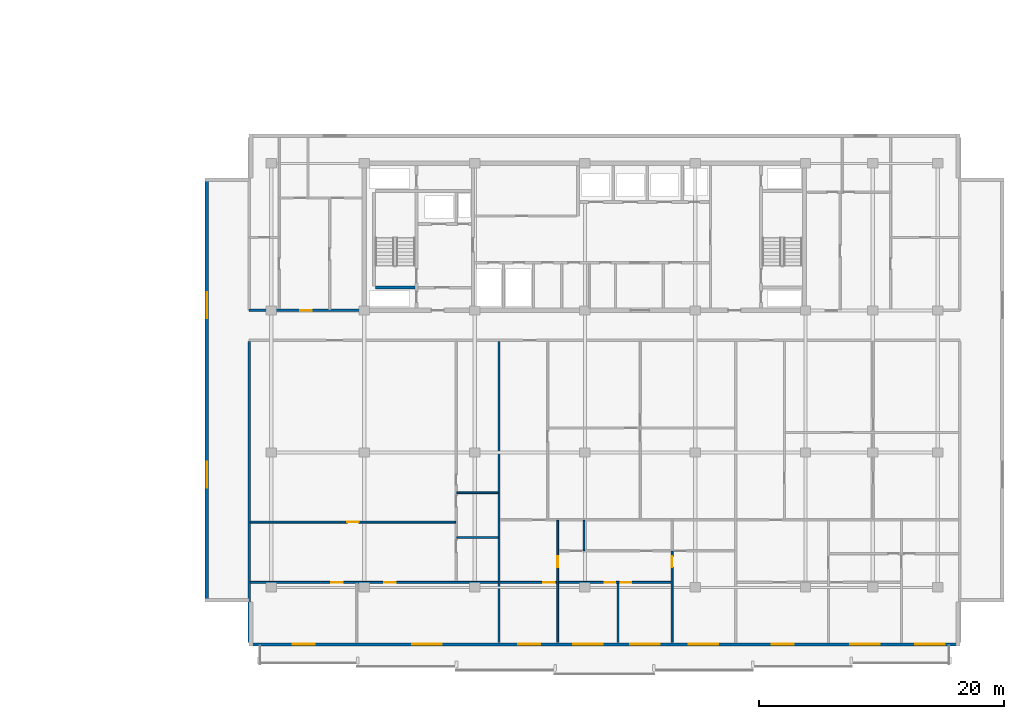
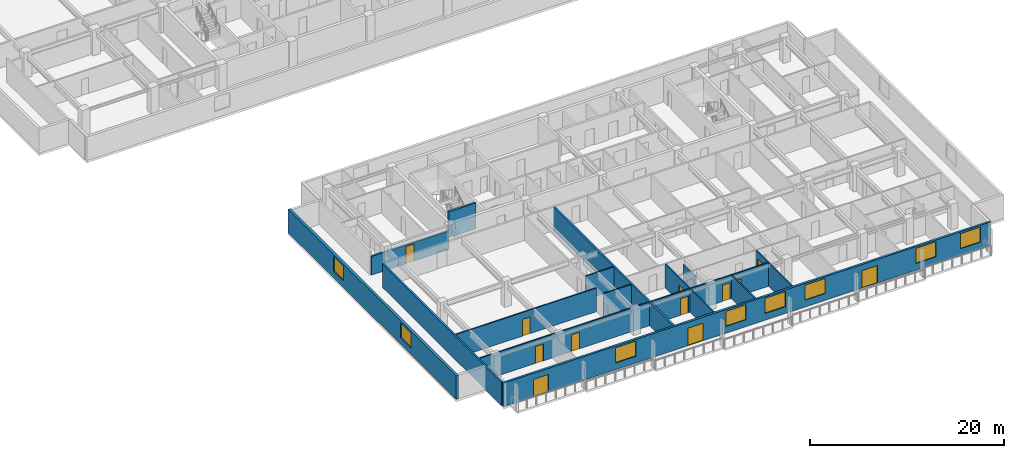
# One storey, part 4 of 21: 15 walls, 12 doors, 8 windows, 20 openings.
"""IFC4 building model written with IfcOpenShell, lengths in metres."""

from ifc_helpers import new_model, si_unit, direction, frame, frame_2d, origin, place, context, subcontext, project, spatial, rectangle, extrude, material, layer, layer_set, type_object, element, fill, save


model = new_model("IFC4")

# Units and contexts
model_context = context("Model", 3, precision=1e-05, world=origin(), true_north=direction((0.0, 1.0)))
body_context = subcontext(model_context, "Body", "Model", "MODEL_VIEW")
ifc_project = project(units=[si_unit("LENGTHUNIT", "METRE"), si_unit("AREAUNIT", "SQUARE_METRE"), si_unit("VOLUMEUNIT", "CUBIC_METRE"), si_unit("PLANEANGLEUNIT", "RADIAN"), si_unit("MASSUNIT", "GRAM", prefix="KILO")], contexts=[model_context])

# Site, building, storey
site_placement = place(None, origin())
site = spatial("IfcSite", under=ifc_project, at=site_placement, CompositionType="ELEMENT")
building_placement = place(site_placement, origin())
building = spatial("IfcBuilding", under=site, at=building_placement, Name="Korimba Cascade Residences", CompositionType="ELEMENT")
storey_placement = place(building_placement, frame((0.0, 0.0, 116.550048828125)))
storey = spatial("IfcBuildingStorey", under=building, at=storey_placement, Name="L33", CompositionType="ELEMENT", Elevation=116.550048828125)

# Wall, openings, doors, windows
ifc_material_1 = material(Name="Precast concrete C40/50", Category="concrete")
ifc_layer_1 = layer(ifc_material_1, 0.25)
ifc_layer_set_1 = layer_set([ifc_layer_1], Name="Precast concrete C40/50")
wall_type_1 = type_object("IfcWallType", Name="EW-LOG-250", PredefinedType="STANDARD", material=ifc_layer_set_1)
wall_1_placement = place(storey_placement, frame((72.699951171875, -8.85009765625, 0.0), z_axis=(0.0, 0.0, 1.0), x_axis=(1.0, 0.0, 0.0)))
wall_1 = element("IfcWall", 1, at=wall_1_placement, inside=storey, type_object=wall_type_1, Name="L33 T2 Perimeter Stone Wall E00", PredefinedType="STANDARD", context=body_context, shape_type="SweptSolid", body=[
    extrude(rectangle(XDim=58.0, YDim=0.25, at=frame_2d((29.0, 0.0))), origin(), (0.0, 0.0, 1.0), 2.969970703125),
])
opening_1_placement = place(wall_1_placement, frame((3.547607421875, 0.0, 0.0)))
opening_1 = element("IfcOpeningElement", 2, at=opening_1_placement, cuts=wall_1, Name="Opening D-LG1", PredefinedType="OPENING", context=body_context, shape_type="SweptSolid", body=[
    extrude(rectangle(XDim=1.800048828125, YDim=2.199951171875, at=frame_2d((0.89990234375, 1.10009765625))), frame((0.0, 0.135009765625, 0.0), z_axis=(0.0, -1.0, 0.0), x_axis=(1.0, 0.0, 0.0)), (0.0, 0.0, 1.0), 0.27001953125),
])
opening_2_placement = place(wall_1_placement, frame((13.3232421875, 0.0, 0.85009765625)))
opening_2 = element("IfcOpeningElement", 3, at=opening_2_placement, cuts=wall_1, Name="Opening W-01", PredefinedType="OPENING", context=body_context, shape_type="SweptSolid", body=[
    extrude(rectangle(XDim=2.39990234375, YDim=1.89990234375, at=frame_2d((1.199951171875, 0.949951171875))), frame((0.0, 0.135009765625, 0.0), z_axis=(0.0, -1.0, 0.0), x_axis=(1.0, 0.0, 0.0)), (0.0, 0.0, 1.0), 0.27001953125),
])
opening_3_placement = place(wall_1_placement, frame((26.440673828125, 0.0, 0.85009765625)))
opening_3 = element("IfcOpeningElement", 4, at=opening_3_placement, cuts=wall_1, Name="Opening W-01", PredefinedType="OPENING", context=body_context, shape_type="SweptSolid", body=[
    extrude(rectangle(XDim=2.39990234375, YDim=1.89990234375, at=frame_2d((1.199951171875, 0.949951171875))), frame((0.0, 0.135009765625, 0.0), z_axis=(0.0, -1.0, 0.0), x_axis=(1.0, 0.0, 0.0)), (0.0, 0.0, 1.0), 0.27001953125),
])
opening_4_placement = place(wall_1_placement, frame((31.110107421875, 0.0, 0.85009765625)))
opening_4 = element("IfcOpeningElement", 5, at=opening_4_placement, cuts=wall_1, Name="Opening W-01", PredefinedType="OPENING", context=body_context, shape_type="SweptSolid", body=[
    extrude(rectangle(XDim=2.39990234375, YDim=1.89990234375, at=frame_2d((1.199951171875, 0.949951171875))), frame((0.0, 0.135009765625, 0.0), z_axis=(0.0, -1.0, 0.0), x_axis=(1.0, 0.0, 0.0)), (0.0, 0.0, 1.0), 0.27001953125),
])
opening_5_placement = place(wall_1_placement, frame((21.94580078125, 0.0, 0.0)))
opening_5 = element("IfcOpeningElement", 6, at=opening_5_placement, cuts=wall_1, Name="Opening D-LG1", PredefinedType="OPENING", context=body_context, shape_type="SweptSolid", body=[
    extrude(rectangle(XDim=1.800048828125, YDim=2.199951171875, at=frame_2d((0.89990234375, 1.10009765625))), frame((0.0, 0.135009765625, 0.0), z_axis=(0.0, -1.0, 0.0), x_axis=(1.0, 0.0, 0.0)), (0.0, 0.0, 1.0), 0.27001953125),
])
opening_6_placement = place(wall_1_placement, frame((35.861328125, 0.0, 0.85009765625)))
opening_6 = element("IfcOpeningElement", 7, at=opening_6_placement, cuts=wall_1, Name="Opening W-01", PredefinedType="OPENING", context=body_context, shape_type="SweptSolid", body=[
    extrude(rectangle(XDim=2.39990234375, YDim=1.89990234375, at=frame_2d((1.199951171875, 0.949951171875))), frame((0.0, 0.135009765625, 0.0), z_axis=(0.0, -1.0, 0.0), x_axis=(1.0, 0.0, 0.0)), (0.0, 0.0, 1.0), 0.27001953125),
])
opening_7_placement = place(wall_1_placement, frame((49.054931640625, 0.0, 0.85009765625)))
opening_7 = element("IfcOpeningElement", 8, at=opening_7_placement, cuts=wall_1, Name="Opening W-01", PredefinedType="OPENING", context=body_context, shape_type="SweptSolid", body=[
    extrude(rectangle(XDim=2.39990234375, YDim=1.89990234375, at=frame_2d((1.199951171875, 0.949951171875))), frame((0.0, 0.135009765625, 0.0), z_axis=(0.0, -1.0, 0.0), x_axis=(1.0, 0.0, 0.0)), (0.0, 0.0, 1.0), 0.27001953125),
])
opening_8_placement = place(wall_1_placement, frame((42.661376953125, 0.0, 0.0)))
opening_8 = element("IfcOpeningElement", 9, at=opening_8_placement, cuts=wall_1, Name="Opening D-LG1", PredefinedType="OPENING", context=body_context, shape_type="SweptSolid", body=[
    extrude(rectangle(XDim=1.800048828125, YDim=2.199951171875, at=frame_2d((0.89990234375, 1.10009765625))), frame((0.0, 0.135009765625, 0.0), z_axis=(0.0, -1.0, 0.0), x_axis=(1.0, 0.0, 0.0)), (0.0, 0.0, 1.0), 0.27001953125),
])
opening_9_placement = place(wall_1_placement, frame((54.35498046875, 0.0, 0.85009765625)))
opening_9 = element("IfcOpeningElement", 10, at=opening_9_placement, cuts=wall_1, Name="Opening W-01", PredefinedType="OPENING", context=body_context, shape_type="SweptSolid", body=[
    extrude(rectangle(XDim=2.39990234375, YDim=1.89990234375, at=frame_2d((1.199951171875, 0.949951171875))), frame((0.0, 0.135009765625, 0.0), z_axis=(0.0, -1.0, 0.0), x_axis=(1.0, 0.0, 0.0)), (0.0, 0.0, 1.0), 0.27001953125),
])
ifc_material_2 = material(Name="Glazed Aluminium Loggia Sliding Door", Category="aluminium")
door_type_1 = type_object("IfcDoorType", Name="DR-EXT-LOG", OperationType="NOTDEFINED", PredefinedType="DOOR", material=ifc_material_2)
door_1_placement = place(opening_1_placement, origin())
door_1 = element("IfcDoor", 11, at=door_1_placement, inside=storey, type_object=door_type_1, Name="L33 T2 Loggia Sliding Door 3", OperationType="SLIDING_TO_RIGHT", OverallHeight=2.199951171875, OverallWidth=1.800048828125, PredefinedType="DOOR", context=body_context, shape_type="SweptSolid", body=[
    extrude(rectangle(XDim=1.800048828125, YDim=2.199951171875, at=frame_2d((0.89990234375, 1.10009765625))), frame((0.0, 0.02490234375, 0.0), z_axis=(0.0, -1.0, 0.0), x_axis=(1.0, 0.0, 0.0)), (0.0, 0.0, 1.0), 0.050048828125),
])
fill(opening_1, door_1)
door_2_placement = place(opening_5_placement, origin())
door_2 = element("IfcDoor", 12, at=door_2_placement, inside=storey, type_object=door_type_1, Name="L33 T2 Loggia Sliding Door 7", OperationType="SLIDING_TO_RIGHT", OverallHeight=2.199951171875, OverallWidth=1.800048828125, PredefinedType="DOOR", context=body_context, shape_type="SweptSolid", body=[
    extrude(rectangle(XDim=1.800048828125, YDim=2.199951171875, at=frame_2d((0.89990234375, 1.10009765625))), frame((0.0, 0.02490234375, 0.0), z_axis=(0.0, -1.0, 0.0), x_axis=(1.0, 0.0, 0.0)), (0.0, 0.0, 1.0), 0.050048828125),
])
fill(opening_5, door_2)
door_3_placement = place(opening_8_placement, origin())
door_3 = element("IfcDoor", 13, at=door_3_placement, inside=storey, type_object=door_type_1, Name="L33 T2 Loggia Sliding Door 10", OperationType="SLIDING_TO_RIGHT", OverallHeight=2.199951171875, OverallWidth=1.800048828125, PredefinedType="DOOR", context=body_context, shape_type="SweptSolid", body=[
    extrude(rectangle(XDim=1.800048828125, YDim=2.199951171875, at=frame_2d((0.89990234375, 1.10009765625))), frame((0.0, 0.02490234375, 0.0), z_axis=(0.0, -1.0, 0.0), x_axis=(1.0, 0.0, 0.0)), (0.0, 0.0, 1.0), 0.050048828125),
])
fill(opening_8, door_3)
ifc_material_3 = material(Name="Double-Glazed Aluminium Window", Category="aluminium")
window_type_1 = type_object("IfcWindowType", Name="WIN-RES-2400", PartitioningType="DOUBLE_PANEL_VERTICAL", PredefinedType="WINDOW", material=ifc_material_3)
window_1_placement = place(opening_2_placement, origin())
window_1 = element("IfcWindow", 14, at=window_1_placement, inside=storey, type_object=window_type_1, Name="L33 T2 South Facade Window 4", OverallHeight=1.89990234375, OverallWidth=2.39990234375, PartitioningType="DOUBLE_PANEL_VERTICAL", PredefinedType="WINDOW", context=body_context, shape_type="SweptSolid", body=[
    extrude(rectangle(XDim=2.39990234375, YDim=1.89990234375, at=frame_2d((1.199951171875, 0.949951171875))), frame((0.0, 0.030029296875, 0.0), z_axis=(0.0, -1.0, 0.0), x_axis=(1.0, 0.0, 0.0)), (0.0, 0.0, 1.0), 0.06005859375),
])
fill(opening_2, window_1)
window_2_placement = place(opening_3_placement, origin())
window_2 = element("IfcWindow", 15, at=window_2_placement, inside=storey, type_object=window_type_1, Name="L33 T2 South Facade Window 5", OverallHeight=1.89990234375, OverallWidth=2.39990234375, PartitioningType="DOUBLE_PANEL_VERTICAL", PredefinedType="WINDOW", context=body_context, shape_type="SweptSolid", body=[
    extrude(rectangle(XDim=2.39990234375, YDim=1.89990234375, at=frame_2d((1.199951171875, 0.949951171875))), frame((0.0, 0.030029296875, 0.0), z_axis=(0.0, -1.0, 0.0), x_axis=(1.0, 0.0, 0.0)), (0.0, 0.0, 1.0), 0.06005859375),
])
fill(opening_3, window_2)
window_3_placement = place(opening_4_placement, origin())
window_3 = element("IfcWindow", 16, at=window_3_placement, inside=storey, type_object=window_type_1, Name="L33 T2 South Facade Window 6", OverallHeight=1.89990234375, OverallWidth=2.39990234375, PartitioningType="DOUBLE_PANEL_VERTICAL", PredefinedType="WINDOW", context=body_context, shape_type="SweptSolid", body=[
    extrude(rectangle(XDim=2.39990234375, YDim=1.89990234375, at=frame_2d((1.199951171875, 0.949951171875))), frame((0.0, 0.030029296875, 0.0), z_axis=(0.0, -1.0, 0.0), x_axis=(1.0, 0.0, 0.0)), (0.0, 0.0, 1.0), 0.06005859375),
])
fill(opening_4, window_3)
window_4_placement = place(opening_6_placement, origin())
window_4 = element("IfcWindow", 17, at=window_4_placement, inside=storey, type_object=window_type_1, Name="L33 T2 South Facade Window 8", OverallHeight=1.89990234375, OverallWidth=2.39990234375, PartitioningType="DOUBLE_PANEL_VERTICAL", PredefinedType="WINDOW", context=body_context, shape_type="SweptSolid", body=[
    extrude(rectangle(XDim=2.39990234375, YDim=1.89990234375, at=frame_2d((1.199951171875, 0.949951171875))), frame((0.0, 0.030029296875, 0.0), z_axis=(0.0, -1.0, 0.0), x_axis=(1.0, 0.0, 0.0)), (0.0, 0.0, 1.0), 0.06005859375),
])
fill(opening_6, window_4)
window_5_placement = place(opening_7_placement, origin())
window_5 = element("IfcWindow", 18, at=window_5_placement, inside=storey, type_object=window_type_1, Name="L33 T2 South Facade Window 9", OverallHeight=1.89990234375, OverallWidth=2.39990234375, PartitioningType="DOUBLE_PANEL_VERTICAL", PredefinedType="WINDOW", context=body_context, shape_type="SweptSolid", body=[
    extrude(rectangle(XDim=2.39990234375, YDim=1.89990234375, at=frame_2d((1.199951171875, 0.949951171875))), frame((0.0, 0.030029296875, 0.0), z_axis=(0.0, -1.0, 0.0), x_axis=(1.0, 0.0, 0.0)), (0.0, 0.0, 1.0), 0.06005859375),
])
fill(opening_7, window_5)
window_6_placement = place(opening_9_placement, origin())
window_6 = element("IfcWindow", 19, at=window_6_placement, inside=storey, type_object=window_type_1, Name="L33 T2 South Facade Window 11", OverallHeight=1.89990234375, OverallWidth=2.39990234375, PartitioningType="DOUBLE_PANEL_VERTICAL", PredefinedType="WINDOW", context=body_context, shape_type="SweptSolid", body=[
    extrude(rectangle(XDim=2.39990234375, YDim=1.89990234375, at=frame_2d((1.199951171875, 0.949951171875))), frame((0.0, 0.030029296875, 0.0), z_axis=(0.0, -1.0, 0.0), x_axis=(1.0, 0.0, 0.0)), (0.0, 0.0, 1.0), 0.06005859375),
])
fill(opening_9, window_6)

# Wall, openings, windows
ifc_layer_2 = layer(ifc_material_1, 0.300048828125)
ifc_layer_set_2 = layer_set([ifc_layer_2], Name="Precast concrete C40/50")
wall_type_2 = type_object("IfcWallType", Name="EW-STONE-300", PredefinedType="STANDARD", material=ifc_layer_set_2)
wall_2_placement = place(storey_placement, frame((69.25, 29.199951171875, 0.0), z_axis=(0.0, 0.0, 1.0), x_axis=(0.0, -1.0, 0.0)))
wall_2 = element("IfcWall", 20, at=wall_2_placement, inside=storey, type_object=wall_type_2, Name="L33 T2 Perimeter Stone Wall E09", PredefinedType="STANDARD", context=body_context, shape_type="SweptSolid", body=[
    extrude(rectangle(XDim=34.599853515625, YDim=0.300048828125, at=frame_2d((17.2998046875, 0.0))), origin(), (0.0, 0.0, 1.0), 2.969970703125),
])
opening_10_placement = place(wall_2_placement, frame((9.330078125, 0.0, 0.85009765625)))
opening_10 = element("IfcOpeningElement", 21, at=opening_10_placement, cuts=wall_2, Name="Opening W-03", PredefinedType="OPENING", context=body_context, shape_type="SweptSolid", body=[
    extrude(rectangle(XDim=2.10009765625, YDim=1.85009765625, at=frame_2d((1.050048828125, 0.925048828125))), frame((0.0, 0.16015625, 0.0), z_axis=(0.0, -1.0, 0.0), x_axis=(1.0, 0.0, 0.0)), (0.0, 0.0, 1.0), 0.320068359375),
])
opening_11_placement = place(wall_2_placement, frame((23.169921875, 0.0, 0.85009765625)))
opening_11 = element("IfcOpeningElement", 22, at=opening_11_placement, cuts=wall_2, Name="Opening W-03", PredefinedType="OPENING", context=body_context, shape_type="SweptSolid", body=[
    extrude(rectangle(XDim=2.10009765625, YDim=1.85009765625, at=frame_2d((1.050048828125, 0.925048828125))), frame((0.0, 0.16015625, 0.0), z_axis=(0.0, -1.0, 0.0), x_axis=(1.0, 0.0, 0.0)), (0.0, 0.0, 1.0), 0.320068359375),
])
window_type_2 = type_object("IfcWindowType", Name="WIN-CRN-2100", PartitioningType="DOUBLE_PANEL_HORIZONTAL", PredefinedType="WINDOW", material=ifc_material_3)
window_7_placement = place(opening_10_placement, origin())
window_7 = element("IfcWindow", 23, at=window_7_placement, inside=storey, type_object=window_type_2, Name="L33 T2 End View Window 9.1", OverallHeight=1.85009765625, OverallWidth=2.10009765625, PartitioningType="DOUBLE_PANEL_HORIZONTAL", PredefinedType="WINDOW", context=body_context, shape_type="SweptSolid", body=[
    extrude(rectangle(XDim=2.10009765625, YDim=1.85009765625, at=frame_2d((1.050048828125, 0.925048828125))), frame((0.0, 0.030029296875, 0.0), z_axis=(0.0, -1.0, 0.0), x_axis=(1.0, 0.0, 0.0)), (0.0, 0.0, 1.0), 0.06005859375),
])
fill(opening_10, window_7)
window_8_placement = place(opening_11_placement, origin())
window_8 = element("IfcWindow", 24, at=window_8_placement, inside=storey, type_object=window_type_2, Name="L33 T2 End View Window 9.2", OverallHeight=1.85009765625, OverallWidth=2.10009765625, PartitioningType="DOUBLE_PANEL_HORIZONTAL", PredefinedType="WINDOW", context=body_context, shape_type="SweptSolid", body=[
    extrude(rectangle(XDim=2.10009765625, YDim=1.85009765625, at=frame_2d((1.050048828125, 0.925048828125))), frame((0.0, 0.030029296875, 0.0), z_axis=(0.0, -1.0, 0.0), x_axis=(1.0, 0.0, 0.0)), (0.0, 0.0, 1.0), 0.06005859375),
])
fill(opening_11, window_8)

# Wall, opening, door
ifc_layer_3 = layer(ifc_material_1, 0.199951171875)
ifc_layer_set_3 = layer_set([ifc_layer_3], Name="Precast concrete C40/50")
wall_type_3 = type_object("IfcWallType", Name="WAL-IT-200", PredefinedType="PARTITIONING", material=ifc_layer_set_3)
wall_3_placement = place(storey_placement, frame((72.699951171875, 18.39990234375, 0.0), z_axis=(0.0, 0.0, 1.0), x_axis=(1.0, 0.0, 0.0)))
wall_3 = element("IfcWall", 25, at=wall_3_placement, inside=storey, type_object=wall_type_3, Name="L33 Partition Wall WAL-L33-T2-FW-S", PredefinedType="PARTITIONING", context=body_context, shape_type="SweptSolid", body=[
    extrude(rectangle(XDim=9.25, YDim=0.199951171875, at=frame_2d((4.625, 0.0))), origin(), (0.0, 0.0, 1.0), 2.357666015625),
])
opening_12_placement = place(wall_3_placement, frame((4.14990234375, 0.0, 0.0)))
opening_12 = element("IfcOpeningElement", 26, at=opening_12_placement, cuts=wall_3, Name="Opening D-UN1", PredefinedType="OPENING", context=body_context, shape_type="SweptSolid", body=[
    extrude(rectangle(XDim=0.949951171875, YDim=2.14990234375, at=frame_2d((0.47509765625, 1.074951171875))), frame((0.0, 0.10986328125, 0.0), z_axis=(0.0, -1.0, 0.0), x_axis=(1.0, 0.0, 0.0)), (0.0, 0.0, 1.0), 0.219970703125),
])
ifc_material_4 = material(Name="Fire-Rated Hardwood Apartment Entrance Door", Category="wood")
door_type_2 = type_object("IfcDoorType", Name="DR-FD60-950", OperationType="NOTDEFINED", PredefinedType="DOOR", material=ifc_material_4)
door_4_placement = place(opening_12_placement, origin())
door_4 = element("IfcDoor", 27, at=door_4_placement, inside=storey, type_object=door_type_2, Name="L33-T2-FW Entrance Door", OperationType="SINGLE_SWING_LEFT", OverallHeight=2.14990234375, OverallWidth=0.949951171875, PredefinedType="DOOR", context=body_context, shape_type="SweptSolid", body=[
    extrude(rectangle(XDim=0.949951171875, YDim=2.14990234375, at=frame_2d((0.47509765625, 1.074951171875))), frame((0.0, 0.02490234375, 0.0), z_axis=(0.0, -1.0, 0.0), x_axis=(1.0, 0.0, 0.0)), (0.0, 0.0, 1.0), 0.050048828125),
])
fill(opening_12, door_4)

# Walls
for number, where, z_axis, x_axis, name in (
    (28, (72.699951171875, -8.699951171875, 0.0), (0.0, 0.0, 1.0), (0.0, 1.0, 0.0), "L33 Partition Wall WAL-L33-T2-BNDWL"),
    (29, (93.0908203125, -8.699951171875, 0.0), (0.0, 0.0, 1.0), (0.0, 1.0, 0.0), "L33 Partition Wall WAL-L33-T2-DEM-1"),
):
    element("IfcWall", number, at=place(storey_placement, frame(where, z_axis=z_axis, x_axis=x_axis)), inside=storey, type_object=wall_type_3, Name=name, PredefinedType="PARTITIONING", context=body_context, shape_type="SweptSolid", body=[
        extrude(rectangle(XDim=24.570068359375, YDim=0.199951171875, at=frame_2d((12.28515625, 0.0))), origin(), (0.0, 0.0, 1.0), 2.969970703125),
    ])

# Wall, opening, door
ifc_material_5 = material(Name="Insulated Acoustic Stud Partition", Category="gypsum")
ifc_layer_4 = layer(ifc_material_5, 0.14990234375)
ifc_layer_set_4 = layer_set([ifc_layer_4], Name="Insulated Acoustic Stud Partition")
wall_type_4 = type_object("IfcWallType", Name="WAL-PART-150", PredefinedType="PARTITIONING", material=ifc_layer_set_4)
wall_4_placement = place(storey_placement, frame((72.780029296875, 1.1201171875, 0.0), z_axis=(0.0, 0.0, 1.0), x_axis=(1.0, 0.0, 0.0)))
wall_4 = element("IfcWall", 30, at=wall_4_placement, inside=storey, type_object=wall_type_4, Name="L33 Partition Wall WAL-L33-T2-U01-CARH", PredefinedType="PARTITIONING", context=body_context, shape_type="SweptSolid", body=[
    extrude(rectangle(XDim=16.770751953125, YDim=0.14990234375, at=frame_2d((8.38525390625, 0.0))), origin(), (0.0, 0.0, 1.0), 2.969970703125),
])
opening_13_placement = place(wall_4_placement, frame((7.915283203125, 0.0, 0.0)))
opening_13 = element("IfcOpeningElement", 31, at=opening_13_placement, cuts=wall_4, Name="Opening D-IN0", PredefinedType="OPENING", context=body_context, shape_type="SweptSolid", body=[
    extrude(rectangle(XDim=0.93994140625, YDim=2.10009765625, at=frame_2d((0.469970703125, 1.050048828125))), frame((0.0, 0.0849609375, 0.0), z_axis=(0.0, -1.0, 0.0), x_axis=(1.0, 0.0, 0.0)), (0.0, 0.0, 1.0), 0.169921875),
])
ifc_material_6 = material(Name="Acoustic Timber Living Archway Door", Category="wood")
door_type_3 = type_object("IfcDoorType", Name="DR-INT-950", OperationType="NOTDEFINED", PredefinedType="DOOR", material=ifc_material_6)
door_5_placement = place(opening_13_placement, origin())
door_5 = element("IfcDoor", 32, at=door_5_placement, inside=storey, type_object=door_type_3, Name="L33-T2-U01 Wellness Clinic Foyer Door", OperationType="SINGLE_SWING_RIGHT", OverallHeight=2.10009765625, OverallWidth=0.93994140625, PredefinedType="DOOR", context=body_context, shape_type="SweptSolid", body=[
    extrude(rectangle(XDim=0.93994140625, YDim=2.10009765625, at=frame_2d((0.469970703125, 1.050048828125))), frame((0.0, 0.02490234375, 0.0), z_axis=(0.0, -1.0, 0.0), x_axis=(1.0, 0.0, 0.0)), (0.0, 0.0, 1.0), 0.050048828125),
])
fill(opening_13, door_5)

# Walls
for number, where, z_axis, x_axis, name in (
    (33, (89.65087890625, -0.1298828125, 0.0), (0.0, 0.0, 1.0), (1.0, 0.0, 0.0), "L33 Partition Wall WAL-L33-T2-U01-WCH"),
    (34, (89.65087890625, 3.52001953125, 0.0), (0.0, 0.0, 1.0), (1.0, 0.0, 0.0), "L33 Partition Wall WAL-L33-T2-U01-WCH2"),
):
    element("IfcWall", number, at=place(storey_placement, frame(where, z_axis=z_axis, x_axis=x_axis)), inside=storey, type_object=wall_type_4, Name=name, PredefinedType="PARTITIONING", context=body_context, shape_type="SweptSolid", body=[
        extrude(rectangle(XDim=3.360107421875, YDim=0.14990234375, at=frame_2d((1.68017578125, 0.0))), origin(), (0.0, 0.0, 1.0), 2.969970703125),
    ])

# Wall, openings, doors
wall_5_placement = place(storey_placement, frame((72.780029296875, -3.800048828125, 0.0), z_axis=(0.0, 0.0, 1.0), x_axis=(1.0, 0.0, 0.0)))
wall_5 = element("IfcWall", 35, at=wall_5_placement, inside=storey, type_object=wall_type_4, Name="L33 Partition Wall WAL-L33-T2-U01-HZ", PredefinedType="PARTITIONING", context=body_context, shape_type="SweptSolid", body=[
    extrude(rectangle(XDim=20.23095703125, YDim=0.14990234375, at=frame_2d((10.115478515625, 0.0))), origin(), (0.0, 0.0, 1.0), 2.969970703125),
])
opening_14_placement = place(wall_5_placement, frame((6.634765625, 0.0, 0.0)))
opening_14 = element("IfcOpeningElement", 36, at=opening_14_placement, cuts=wall_5, Name="Opening D-IN0", PredefinedType="OPENING", context=body_context, shape_type="SweptSolid", body=[
    extrude(rectangle(XDim=0.93994140625, YDim=2.10009765625, at=frame_2d((0.469970703125, 1.050048828125))), frame((0.0, 0.0849609375, 0.0), z_axis=(0.0, -1.0, 0.0), x_axis=(1.0, 0.0, 0.0)), (0.0, 0.0, 1.0), 0.169921875),
])
opening_15_placement = place(wall_5_placement, frame((10.947998046875, 0.0, 0.0)))
opening_15 = element("IfcOpeningElement", 37, at=opening_15_placement, cuts=wall_5, Name="Opening D-IN0", PredefinedType="OPENING", context=body_context, shape_type="SweptSolid", body=[
    extrude(rectangle(XDim=0.93994140625, YDim=2.10009765625, at=frame_2d((0.469970703125, 1.050048828125))), frame((0.0, 0.0849609375, 0.0), z_axis=(0.0, -1.0, 0.0), x_axis=(1.0, 0.0, 0.0)), (0.0, 0.0, 1.0), 0.169921875),
])
door_6_placement = place(opening_14_placement, origin())
door_6 = element("IfcDoor", 38, at=door_6_placement, inside=storey, type_object=door_type_3, Name="L33-T2-U01 Hydrotherapy Wellness Clinic Door", OperationType="SINGLE_SWING_RIGHT", OverallHeight=2.10009765625, OverallWidth=0.93994140625, PredefinedType="DOOR", context=body_context, shape_type="SweptSolid", body=[
    extrude(rectangle(XDim=0.93994140625, YDim=2.10009765625, at=frame_2d((0.469970703125, 1.050048828125))), frame((0.0, 0.02490234375, 0.0), z_axis=(0.0, -1.0, 0.0), x_axis=(1.0, 0.0, 0.0)), (0.0, 0.0, 1.0), 0.050048828125),
])
fill(opening_14, door_6)
door_7_placement = place(opening_15_placement, origin())
door_7 = element("IfcDoor", 39, at=door_7_placement, inside=storey, type_object=door_type_3, Name="L33-T2-U01 Physiotherapy Treatment Room Door", OperationType="SINGLE_SWING_LEFT", OverallHeight=2.10009765625, OverallWidth=0.93994140625, PredefinedType="DOOR", context=body_context, shape_type="SweptSolid", body=[
    extrude(rectangle(XDim=0.93994140625, YDim=2.10009765625, at=frame_2d((0.469970703125, 1.050048828125))), frame((0.0, 0.02490234375, 0.0), z_axis=(0.0, -1.0, 0.0), x_axis=(1.0, 0.0, 0.0)), (0.0, 0.0, 1.0), 0.050048828125),
])
fill(opening_15, door_7)

# Walls
wall_6_placement = place(storey_placement, frame((100.031005859375, -1.2099609375, 0.0), z_axis=(0.0, 0.0, 1.0), x_axis=(0.0, 1.0, 0.0)))
element("IfcWall", 40, at=wall_6_placement, inside=storey, type_object=wall_type_4, Name="L33 Partition Wall WAL-L33-T2-U02-VDRS", PredefinedType="PARTITIONING", context=body_context, shape_type="SweptSolid", body=[
    extrude(rectangle(XDim=2.469970703125, YDim=0.14990234375, at=frame_2d((1.23486328125, 0.0))), origin(), (0.0, 0.0, 1.0), 2.2001953125),
])
wall_7_placement = place(storey_placement, frame((102.80029296875, -8.699951171875, 0.0), z_axis=(0.0, 0.0, 1.0), x_axis=(0.0, 1.0, 0.0)))
element("IfcWall", 41, at=wall_7_placement, inside=storey, type_object=wall_type_4, Name="L33 Partition Wall WAL-L33-T2-U02-VSTD", PredefinedType="PARTITIONING", context=body_context, shape_type="SweptSolid", body=[
    extrude(rectangle(XDim=4.820068359375, YDim=0.14990234375, at=frame_2d((2.41015625, 0.0))), origin(), (0.0, 0.0, 1.0), 2.969970703125),
])

# Wall, opening, door
wall_8_placement = place(storey_placement, frame((97.880859375, -8.699951171875, 0.0), z_axis=(0.0, 0.0, 1.0), x_axis=(0.0, 1.0, 0.0)))
wall_8 = element("IfcWall", 42, at=wall_8_placement, inside=storey, type_object=wall_type_4, Name="L33 Partition Wall WAL-L33-T2-U02-V1", PredefinedType="PARTITIONING", context=body_context, shape_type="SweptSolid", body=[
    extrude(rectangle(XDim=9.9599609375, YDim=0.14990234375, at=frame_2d((4.97998046875, 0.0))), origin(), (0.0, 0.0, 1.0), 2.969970703125),
])
opening_16_placement = place(wall_8_placement, frame((6.123046875, 0.0, 0.0)))
opening_16 = element("IfcOpeningElement", 43, at=opening_16_placement, cuts=wall_8, Name="Opening D-IN1", PredefinedType="OPENING", context=body_context, shape_type="SweptSolid", body=[
    extrude(rectangle(XDim=0.919921875, YDim=2.080078125, at=frame_2d((0.4599609375, 1.0400390625))), frame((0.0, 0.0849609375, 0.0), z_axis=(0.0, -1.0, 0.0), x_axis=(1.0, 0.0, 0.0)), (0.0, 0.0, 1.0), 0.169921875),
])
ifc_material_7 = material(Name="Acoustic Timber Living Door", Category="wood")
door_type_4 = type_object("IfcDoorType", Name="DR-INT-920", OperationType="NOTDEFINED", PredefinedType="DOOR", material=ifc_material_7)
door_8_placement = place(opening_16_placement, origin())
door_8 = element("IfcDoor", 44, at=door_8_placement, inside=storey, type_object=door_type_4, Name="L33-T2-U02 Hallway Door", OperationType="SINGLE_SWING_RIGHT", OverallHeight=2.080078125, OverallWidth=0.919921875, PredefinedType="DOOR", context=body_context, shape_type="SweptSolid", body=[
    extrude(rectangle(XDim=0.919921875, YDim=2.080078125, at=frame_2d((0.4599609375, 1.0400390625))), frame((0.0, 0.02490234375, 0.0), z_axis=(0.0, -1.0, 0.0), x_axis=(1.0, 0.0, 0.0)), (0.0, 0.0, 1.0), 0.050048828125),
])
fill(opening_16, door_8)

wall_9_placement = place(storey_placement, frame((107.219970703125, -8.699951171875, 0.0), z_axis=(0.0, 0.0, 1.0), x_axis=(0.0, 1.0, 0.0)))
wall_9 = element("IfcWall", 45, at=wall_9_placement, inside=storey, type_object=wall_type_4, Name="L33 Partition Wall WAL-L33-T2-U02-V2FULL", PredefinedType="PARTITIONING", context=body_context, shape_type="SweptSolid", body=[
    extrude(rectangle(XDim=7.449951171875, YDim=0.14990234375, at=frame_2d((3.72509765625, 0.0))), origin(), (0.0, 0.0, 1.0), 2.969970703125),
])
opening_17_placement = place(wall_9_placement, frame((6.123046875, 0.0, 0.0)))
opening_17 = element("IfcOpeningElement", 46, at=opening_17_placement, cuts=wall_9, Name="Opening D-IN1", PredefinedType="OPENING", context=body_context, shape_type="SweptSolid", body=[
    extrude(rectangle(XDim=0.919921875, YDim=2.080078125, at=frame_2d((0.4599609375, 1.0400390625))), frame((0.0, 0.0849609375, 0.0), z_axis=(0.0, -1.0, 0.0), x_axis=(1.0, 0.0, 0.0)), (0.0, 0.0, 1.0), 0.169921875),
])
door_9_placement = place(opening_17_placement, origin())
door_9 = element("IfcDoor", 47, at=door_9_placement, inside=storey, type_object=door_type_4, Name="L33-T2-U02 Master Bedroom Door", OperationType="SINGLE_SWING_LEFT", OverallHeight=2.080078125, OverallWidth=0.919921875, PredefinedType="DOOR", context=body_context, shape_type="SweptSolid", body=[
    extrude(rectangle(XDim=0.919921875, YDim=2.080078125, at=frame_2d((0.4599609375, 1.0400390625))), frame((0.0, 0.02490234375, 0.0), z_axis=(0.0, -1.0, 0.0), x_axis=(1.0, 0.0, 0.0)), (0.0, 0.0, 1.0), 0.050048828125),
])
fill(opening_17, door_9)

# Wall, openings, doors
wall_10_placement = place(storey_placement, frame((93.1708984375, -3.800048828125, 0.0), z_axis=(0.0, 0.0, 1.0), x_axis=(1.0, 0.0, 0.0)))
wall_10 = element("IfcWall", 48, at=wall_10_placement, inside=storey, type_object=wall_type_4, Name="L33 Partition Wall WAL-L33-T2-U02-HZ", PredefinedType="PARTITIONING", context=body_context, shape_type="SweptSolid", body=[
    extrude(rectangle(XDim=14.049072265625, YDim=0.14990234375, at=frame_2d((7.0244140625, 0.0))), origin(), (0.0, 0.0, 1.0), 2.969970703125),
])
opening_18_placement = place(wall_10_placement, frame((3.52001953125, 0.0, 0.0)))
opening_18 = element("IfcOpeningElement", 49, at=opening_18_placement, cuts=wall_10, Name="Opening D-IN0", PredefinedType="OPENING", context=body_context, shape_type="SweptSolid", body=[
    extrude(rectangle(XDim=0.93994140625, YDim=2.10009765625, at=frame_2d((0.469970703125, 1.050048828125))), frame((0.0, 0.0849609375, 0.0), z_axis=(0.0, -1.0, 0.0), x_axis=(1.0, 0.0, 0.0)), (0.0, 0.0, 1.0), 0.169921875),
])
opening_19_placement = place(wall_10_placement, frame((8.529541015625, 0.0, 0.0)))
opening_19 = element("IfcOpeningElement", 50, at=opening_19_placement, cuts=wall_10, Name="Opening D-IN2", PredefinedType="OPENING", context=body_context, shape_type="SweptSolid", body=[
    extrude(rectangle(XDim=0.8798828125, YDim=2.06005859375, at=frame_2d((0.43994140625, 1.030029296875))), frame((0.0, 0.0849609375, 0.0), z_axis=(0.0, -1.0, 0.0), x_axis=(1.0, 0.0, 0.0)), (0.0, 0.0, 1.0), 0.169921875),
])
opening_20_placement = place(wall_10_placement, frame((9.849609375, 0.0, 0.0)))
opening_20 = element("IfcOpeningElement", 51, at=opening_20_placement, cuts=wall_10, Name="Opening D-IN2", PredefinedType="OPENING", context=body_context, shape_type="SweptSolid", body=[
    extrude(rectangle(XDim=0.8798828125, YDim=2.06005859375, at=frame_2d((0.43994140625, 1.030029296875))), frame((0.0, 0.0849609375, 0.0), z_axis=(0.0, -1.0, 0.0), x_axis=(1.0, 0.0, 0.0)), (0.0, 0.0, 1.0), 0.169921875),
])
ifc_material_8 = material(Name="Acoustic Timber Bedroom Door", Category="wood")
door_type_5 = type_object("IfcDoorType", Name="DR-INT-880", OperationType="NOTDEFINED", PredefinedType="DOOR", material=ifc_material_8)
door_10_placement = place(opening_19_placement, origin())
door_10 = element("IfcDoor", 52, at=door_10_placement, inside=storey, type_object=door_type_5, Name="L33-T2-U02 Bedroom 2 Door", OperationType="SINGLE_SWING_LEFT", OverallHeight=2.06005859375, OverallWidth=0.8798828125, PredefinedType="DOOR", context=body_context, shape_type="SweptSolid", body=[
    extrude(rectangle(XDim=0.8798828125, YDim=2.06005859375, at=frame_2d((0.43994140625, 1.030029296875))), frame((0.0, 0.02490234375, 0.0), z_axis=(0.0, -1.0, 0.0), x_axis=(1.0, 0.0, 0.0)), (0.0, 0.0, 1.0), 0.050048828125),
])
fill(opening_19, door_10)
door_11_placement = place(opening_20_placement, origin())
door_11 = element("IfcDoor", 53, at=door_11_placement, inside=storey, type_object=door_type_5, Name="L33-T2-U02 Study Door", OperationType="SINGLE_SWING_RIGHT", OverallHeight=2.06005859375, OverallWidth=0.8798828125, PredefinedType="DOOR", context=body_context, shape_type="SweptSolid", body=[
    extrude(rectangle(XDim=0.8798828125, YDim=2.06005859375, at=frame_2d((0.43994140625, 1.030029296875))), frame((0.0, 0.02490234375, 0.0), z_axis=(0.0, -1.0, 0.0), x_axis=(1.0, 0.0, 0.0)), (0.0, 0.0, 1.0), 0.050048828125),
])
fill(opening_20, door_11)
door_12_placement = place(opening_18_placement, origin())
door_12 = element("IfcDoor", 54, at=door_12_placement, inside=storey, type_object=door_type_3, Name="L33-T2-U02 Living Room Door", OperationType="SINGLE_SWING_RIGHT", OverallHeight=2.10009765625, OverallWidth=0.93994140625, PredefinedType="DOOR", context=body_context, shape_type="SweptSolid", body=[
    extrude(rectangle(XDim=0.93994140625, YDim=2.10009765625, at=frame_2d((0.469970703125, 1.050048828125))), frame((0.0, 0.02490234375, 0.0), z_axis=(0.0, -1.0, 0.0), x_axis=(1.0, 0.0, 0.0)), (0.0, 0.0, 1.0), 0.050048828125),
])
fill(opening_18, door_12)

# Wall
ifc_material_9 = material(Name="Concrete C50/60", Category="concrete")
ifc_layer_5 = layer(ifc_material_9, 0.25)
ifc_layer_set_5 = layer_set([ifc_layer_5], Name="Concrete C50/60")
wall_type_5 = type_object("IfcWallType", Name="WAL-SHAFT-250", PredefinedType="SHEAR", material=ifc_layer_set_5)
wall_11_placement = place(storey_placement, frame((83.0, 20.27490234375, 0.0), z_axis=(0.0, 0.0, 1.0), x_axis=(1.0, 0.0, 0.0)))
element("IfcWall", 55, at=wall_11_placement, inside=storey, type_object=wall_type_5, Name="L33 Core Shear Wall CW-L33-T2-STE1S", PredefinedType="SHEAR", context=body_context, shape_type="SweptSolid", body=[
    extrude(rectangle(XDim=3.239990234375, YDim=0.25, at=frame_2d((1.6201171875, 0.0))), origin(), (0.0, 0.0, 1.0), 3.25),
])

save(model, "model.ifc")
